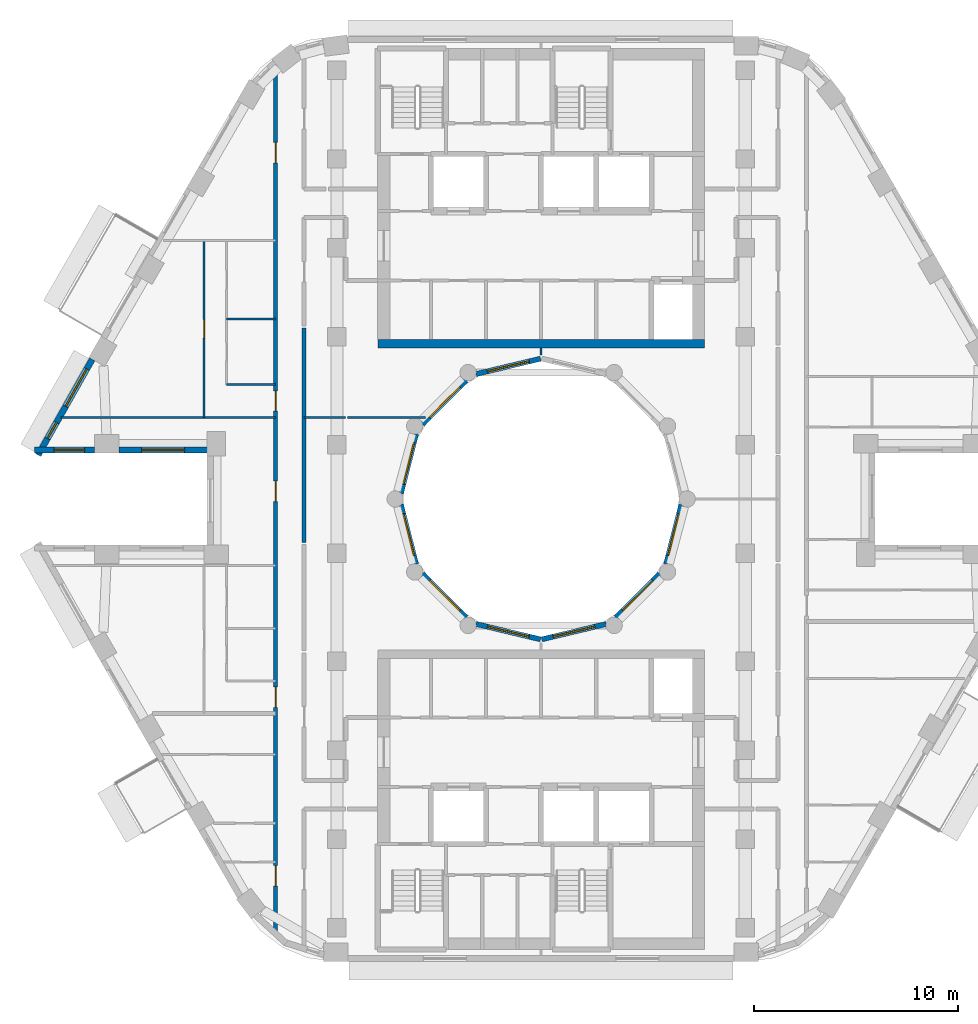
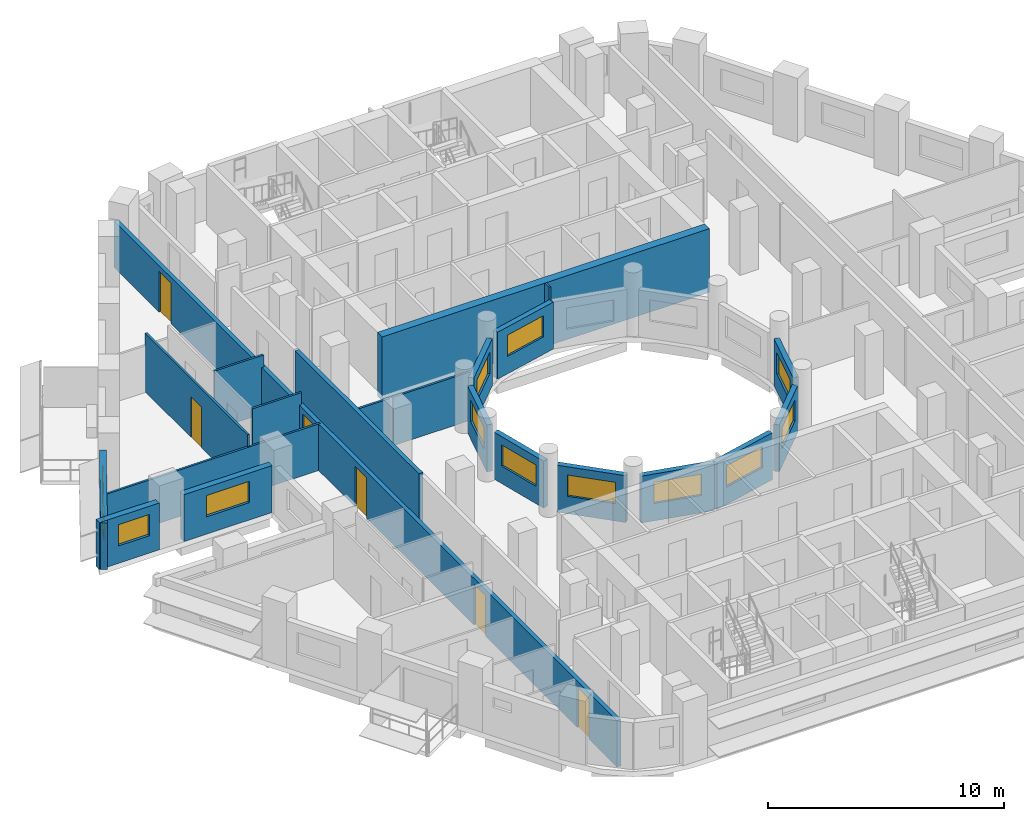
# One storey, part 5 of 17: 22 walls, 13 windows, 6 doors, 19 openings.
"""IFC4 building model written with IfcOpenShell, lengths in metres."""

from ifc_helpers import new_model, si_unit, direction, frame, frame_2d, origin, place, context, subcontext, project, spatial, rectangle, extrude, material, layer, layer_set, type_object, element, fill, save


model = new_model("IFC4")

# Units and contexts
model_context = context("Model", 3, precision=1e-05, world=origin(), true_north=direction((0.0, 1.0)))
body_context = subcontext(model_context, "Body", "Model", "MODEL_VIEW")
ifc_project = project(units=[si_unit("LENGTHUNIT", "METRE"), si_unit("AREAUNIT", "SQUARE_METRE"), si_unit("VOLUMEUNIT", "CUBIC_METRE"), si_unit("PLANEANGLEUNIT", "RADIAN"), si_unit("MASSUNIT", "GRAM", prefix="KILO")], contexts=[model_context])

# Site, building, storey
site_placement = place(None, origin())
site = spatial("IfcSite", under=ifc_project, at=site_placement, CompositionType="ELEMENT")
building_placement = place(site_placement, origin())
building = spatial("IfcBuilding", under=site, at=building_placement, Name="Nakaniwa Court", CompositionType="ELEMENT")
storey_placement = place(building_placement, frame((0.0, 0.0, 203.10009765625)))
storey = spatial("IfcBuildingStorey", under=building, at=storey_placement, Name="L53", CompositionType="ELEMENT", Elevation=203.10009765625)

# Wall
ifc_material_1 = material(Name="Acoustic double stud partition")
ifc_layer_1 = layer(ifc_material_1, 0.199951171875)
ifc_layer_set_1 = layer_set([ifc_layer_1], Name="Acoustic double stud partition")
wall_type_1 = type_object("IfcWallType", Name="Acoustic double stud partition 200", PredefinedType="PARTITIONING", material=ifc_layer_set_1)
wall_1_placement = place(storey_placement, frame((68.39990234375, 77.877197265625, 0.0), z_axis=(0.0, 0.0, 1.0), x_axis=(0.0, 1.0, 0.0)))
element("IfcWall", 1, at=wall_1_placement, inside=storey, type_object=wall_type_1, Name="Partition PW-104", PredefinedType="PARTITIONING", context=body_context, shape_type="SweptSolid", body=[
    extrude(rectangle(XDim=10.485595703125, YDim=0.199951171875, at=frame_2d((5.24267578125, 0.0))), origin(), (0.0, 0.0, 1.0), 3.02490234375),
])

# Wall, openings, doors
wall_2_placement = place(storey_placement, frame((67.0, 58.67431640625, 0.0), z_axis=(0.0, 0.0, 1.0), x_axis=(0.0, 1.0, 0.0)))
wall_2 = element("IfcWall", 2, at=wall_2_placement, inside=storey, type_object=wall_type_1, Name="Partition PW-107", PredefinedType="PARTITIONING", context=body_context, shape_type="SweptSolid", body=[
    extrude(rectangle(XDim=42.591796875, YDim=0.199951171875, at=frame_2d((21.2958984375, 0.0))), origin(), (0.0, 0.0, 1.0), 2.40478515625),
])
opening_1_placement = place(wall_2_placement, frame((2.3759765625, 0.0, 0.0)))
opening_1 = element("IfcOpeningElement", 3, at=opening_1_placement, cuts=wall_2, Name="Opening D-01-03", PredefinedType="OPENING", context=body_context, shape_type="SweptSolid", body=[
    extrude(rectangle(XDim=1.0, YDim=2.10009765625, at=frame_2d((0.5, 1.050048828125))), frame((0.0, 0.10986328125, 0.0), z_axis=(0.0, -1.0, 0.0), x_axis=(1.0, 0.0, 0.0)), (0.0, 0.0, 1.0), 0.219970703125),
])
opening_2_placement = place(wall_2_placement, frame((11.1259765625, 0.0, 0.0)))
opening_2 = element("IfcOpeningElement", 4, at=opening_2_placement, cuts=wall_2, Name="Opening D-01-04", PredefinedType="OPENING", context=body_context, shape_type="SweptSolid", body=[
    extrude(rectangle(XDim=1.0, YDim=2.10009765625, at=frame_2d((0.5, 1.050048828125))), frame((0.0, 0.10986328125, 0.0), z_axis=(0.0, -1.0, 0.0), x_axis=(1.0, 0.0, 0.0)), (0.0, 0.0, 1.0), 0.219970703125),
])
opening_3_placement = place(wall_2_placement, frame((25.6259765625, 0.0, 0.0)))
opening_3 = element("IfcOpeningElement", 5, at=opening_3_placement, cuts=wall_2, Name="Opening D-01-05", PredefinedType="OPENING", context=body_context, shape_type="SweptSolid", body=[
    extrude(rectangle(XDim=1.0, YDim=2.10009765625, at=frame_2d((0.5, 1.050048828125))), frame((0.0, 0.10986328125, 0.0), z_axis=(0.0, -1.0, 0.0), x_axis=(1.0, 0.0, 0.0)), (0.0, 0.0, 1.0), 0.219970703125),
])
opening_4_placement = place(wall_2_placement, frame((21.199951171875, 0.0, 0.0)))
opening_4 = element("IfcOpeningElement", 6, at=opening_4_placement, cuts=wall_2, Name="Opening D-02-10", PredefinedType="OPENING", context=body_context, shape_type="SweptSolid", body=[
    extrude(rectangle(XDim=1.0, YDim=2.10009765625, at=frame_2d((0.5, 1.050048828125))), frame((0.0, 0.10986328125, 0.0), z_axis=(0.0, -1.0, 0.0), x_axis=(1.0, 0.0, 0.0)), (0.0, 0.0, 1.0), 0.219970703125),
])
opening_5_placement = place(wall_2_placement, frame((37.7880859375, 0.0, 0.0)))
opening_5 = element("IfcOpeningElement", 7, at=opening_5_placement, cuts=wall_2, Name="Opening D-02-11", PredefinedType="OPENING", context=body_context, shape_type="SweptSolid", body=[
    extrude(rectangle(XDim=1.0, YDim=2.10009765625, at=frame_2d((0.5, 1.050048828125))), frame((0.0, 0.10986328125, 0.0), z_axis=(0.0, -1.0, 0.0), x_axis=(1.0, 0.0, 0.0)), (0.0, 0.0, 1.0), 0.219970703125),
])
ifc_material_2 = material(Name="Solid core timber door set, black veneer", Category="wood")
door_type_1 = type_object("IfcDoorType", Name="Flat entrance door 1000", OperationType="NOTDEFINED", PredefinedType="DOOR", material=ifc_material_2)
door_1_placement = place(opening_1_placement, origin())
door_1 = element("IfcDoor", 8, at=door_1_placement, inside=storey, type_object=door_type_1, Name="Door D-01-03 L53-042", OperationType="SINGLE_SWING_LEFT", OverallHeight=2.10009765625, OverallWidth=1.0, PredefinedType="DOOR", context=body_context, shape_type="SweptSolid", body=[
    extrude(rectangle(XDim=1.0, YDim=2.10009765625, at=frame_2d((0.5, 1.050048828125))), frame((0.0, 0.02490234375, 0.0), z_axis=(0.0, -1.0, 0.0), x_axis=(1.0, 0.0, 0.0)), (0.0, 0.0, 1.0), 0.050048828125),
])
fill(opening_1, door_1)
door_2_placement = place(opening_2_placement, origin())
door_2 = element("IfcDoor", 9, at=door_2_placement, inside=storey, type_object=door_type_1, Name="Door D-01-04 L53-046", OperationType="SINGLE_SWING_LEFT", OverallHeight=2.10009765625, OverallWidth=1.0, PredefinedType="DOOR", context=body_context, shape_type="SweptSolid", body=[
    extrude(rectangle(XDim=1.0, YDim=2.10009765625, at=frame_2d((0.5, 1.050048828125))), frame((0.0, 0.02490234375, 0.0), z_axis=(0.0, -1.0, 0.0), x_axis=(1.0, 0.0, 0.0)), (0.0, 0.0, 1.0), 0.050048828125),
])
fill(opening_2, door_2)
door_3_placement = place(opening_3_placement, origin())
door_3 = element("IfcDoor", 10, at=door_3_placement, inside=storey, type_object=door_type_1, Name="Door D-01-05 L53-052", OperationType="SINGLE_SWING_LEFT", OverallHeight=2.10009765625, OverallWidth=1.0, PredefinedType="DOOR", context=body_context, shape_type="SweptSolid", body=[
    extrude(rectangle(XDim=1.0, YDim=2.10009765625, at=frame_2d((0.5, 1.050048828125))), frame((0.0, 0.02490234375, 0.0), z_axis=(0.0, -1.0, 0.0), x_axis=(1.0, 0.0, 0.0)), (0.0, 0.0, 1.0), 0.050048828125),
])
fill(opening_3, door_3)
door_type_2 = type_object("IfcDoorType", Name="Internal door 1000", OperationType="NOTDEFINED", PredefinedType="DOOR", material=ifc_material_2)
door_4_placement = place(opening_4_placement, origin())
door_4 = element("IfcDoor", 11, at=door_4_placement, inside=storey, type_object=door_type_2, Name="Door D-02-10 L53-059", OperationType="SINGLE_SWING_RIGHT", OverallHeight=2.10009765625, OverallWidth=1.0, PredefinedType="DOOR", context=body_context, shape_type="SweptSolid", body=[
    extrude(rectangle(XDim=1.0, YDim=2.10009765625, at=frame_2d((0.5, 1.050048828125))), frame((0.0, 0.02490234375, 0.0), z_axis=(0.0, -1.0, 0.0), x_axis=(1.0, 0.0, 0.0)), (0.0, 0.0, 1.0), 0.050048828125),
])
fill(opening_4, door_4)
door_5_placement = place(opening_5_placement, origin())
door_5 = element("IfcDoor", 12, at=door_5_placement, inside=storey, type_object=door_type_2, Name="Door D-02-11 L53-060", OperationType="SINGLE_SWING_LEFT", OverallHeight=2.10009765625, OverallWidth=1.0, PredefinedType="DOOR", context=body_context, shape_type="SweptSolid", body=[
    extrude(rectangle(XDim=1.0, YDim=2.10009765625, at=frame_2d((0.5, 1.050048828125))), frame((0.0, 0.02490234375, 0.0), z_axis=(0.0, -1.0, 0.0), x_axis=(1.0, 0.0, 0.0)), (0.0, 0.0, 1.0), 0.050048828125),
])
fill(opening_5, door_5)

# Wall, openings, windows
ifc_material_3 = material(Name="Charcoal ceramic cladding")
ifc_layer_2 = layer(ifc_material_3, 0.02, Name="Ceramic cladding")
ifc_material_4 = material(Name="Ventilated air cavity")
ifc_layer_3 = layer(ifc_material_4, 0.04, ventilated=True, Name="Ventilated cavity")
ifc_material_5 = material(Name="Mineral wool insulation")
ifc_layer_4 = layer(ifc_material_5, 0.1, Name="Insulation")
ifc_material_6 = material(Name="Cement bonded sheathing board")
ifc_layer_5 = layer(ifc_material_6, 0.012, Name="Sheathing")
ifc_material_7 = material(Name="Cold-formed galvanised stud frame with mineral wool infill")
ifc_layer_6 = layer(ifc_material_7, 0.1, Name="Stud frame")
ifc_material_8 = material(Name="Fire-rated gypsum plasterboard lining")
ifc_layer_7 = layer(ifc_material_8, 0.028, Name="Lining")
ifc_layer_set_2 = layer_set([ifc_layer_2, ifc_layer_3, ifc_layer_4, ifc_layer_5, ifc_layer_6, ifc_layer_7], Name="Charcoal ceramic faced external wall system")
wall_type_2 = type_object("IfcWallType", Name="Black ceramic faced external wall 300", PredefinedType="SOLIDWALL", material=ifc_layer_set_2)
wall_3_placement = place(storey_placement, frame((58.023193359375, 86.843017578125, 0.0), z_axis=(0.0, 0.0, 1.0), x_axis=(-0.492033360928, -0.870576344575, 0.0)))
wall_3 = element("IfcWall", 13, at=wall_3_placement, inside=storey, type_object=wall_type_2, Name="L53 external wall 14", PredefinedType="SOLIDWALL", context=body_context, shape_type="SweptSolid", body=[
    extrude(rectangle(XDim=5.38671875, YDim=0.300048828125, at=frame_2d((2.693359375, 0.0))), origin(), (0.0, 0.0, 1.0), 2.4248046875),
])
opening_6_placement = place(wall_3_placement, frame((0.547607421875, 0.0, 0.89990234375)))
opening_6 = element("IfcOpeningElement", 14, at=opening_6_placement, cuts=wall_3, Name="Opening W7.15", PredefinedType="OPENING", context=body_context, shape_type="SweptSolid", body=[
    extrude(rectangle(XDim=2.10009765625, YDim=1.10009765625, at=frame_2d((1.050048828125, 0.550048828125))), frame((0.0, 0.159912109375, 0.0), z_axis=(0.0, -1.0, 0.0), x_axis=(1.0, 0.0, 0.0)), (0.0, 0.0, 1.0), 0.320068359375),
])
opening_7_placement = place(wall_3_placement, frame((3.552490234375, 0.0, 0.89990234375)))
opening_7 = element("IfcOpeningElement", 15, at=opening_7_placement, cuts=wall_3, Name="Opening W9.16", PredefinedType="OPENING", context=body_context, shape_type="SweptSolid", body=[
    extrude(rectangle(XDim=0.89990234375, YDim=1.10009765625, at=frame_2d((0.449951171875, 0.550048828125))), frame((0.0, 0.159912109375, 0.0), z_axis=(0.0, -1.0, 0.0), x_axis=(1.0, 0.0, 0.0)), (0.0, 0.0, 1.0), 0.320068359375),
])
ifc_material_9 = material(Name="Black anodised aluminium frame with dark low-E laminated double glazing", Category="aluminium")
window_type_1 = type_object("IfcWindowType", Name="Dark glass window 2100x1100 sill 900", PartitioningType="SINGLE_PANEL", PredefinedType="WINDOW", material=ifc_material_9)
window_1_placement = place(opening_6_placement, origin())
window_1 = element("IfcWindow", 16, at=window_1_placement, inside=storey, type_object=window_type_1, Name="L53 living window 14-0", OverallHeight=1.10009765625, OverallWidth=2.10009765625, PartitioningType="SINGLE_PANEL", PredefinedType="WINDOW", context=body_context, shape_type="SweptSolid", body=[
    extrude(rectangle(XDim=2.10009765625, YDim=1.10009765625, at=frame_2d((1.050048828125, 0.550048828125))), frame((0.0, 0.030029296875, 0.0), z_axis=(0.0, -1.0, 0.0), x_axis=(1.0, 0.0, 0.0)), (0.0, 0.0, 1.0), 0.06005859375),
])
fill(opening_6, window_1)
window_type_2 = type_object("IfcWindowType", Name="Dark glass window 900x1100 sill 900", PartitioningType="SINGLE_PANEL", PredefinedType="WINDOW", material=ifc_material_9)
window_2_placement = place(opening_7_placement, origin())
window_2 = element("IfcWindow", 17, at=window_2_placement, inside=storey, type_object=window_type_2, Name="L53 habitable room window 14-1", OverallHeight=1.10009765625, OverallWidth=0.89990234375, PartitioningType="SINGLE_PANEL", PredefinedType="WINDOW", context=body_context, shape_type="SweptSolid", body=[
    extrude(rectangle(XDim=0.89990234375, YDim=1.10009765625, at=frame_2d((0.449951171875, 0.550048828125))), frame((0.0, 0.030029296875, 0.0), z_axis=(0.0, -1.0, 0.0), x_axis=(1.0, 0.0, 0.0)), (0.0, 0.0, 1.0), 0.06005859375),
])
fill(opening_7, window_2)

# Wall, opening, window
wall_4_placement = place(storey_placement, frame((55.2021484375, 82.39990234375, 0.0), z_axis=(0.0, 0.0, 1.0), x_axis=(1.0, 0.0, 0.0)))
wall_4 = element("IfcWall", 18, at=wall_4_placement, inside=storey, type_object=wall_type_2, Name="L53 external wall 15", PredefinedType="SOLIDWALL", context=body_context, shape_type="SweptSolid", body=[
    extrude(rectangle(XDim=2.937744140625, YDim=0.300048828125, at=frame_2d((1.46875, 0.0))), origin(), (0.0, 0.0, 1.0), 2.4248046875),
])
opening_8_placement = place(wall_4_placement, frame((0.944091796875, 0.0, 0.89990234375)))
opening_8 = element("IfcOpeningElement", 19, at=opening_8_placement, cuts=wall_4, Name="Opening W5.17", PredefinedType="OPENING", context=body_context, shape_type="SweptSolid", body=[
    extrude(rectangle(XDim=1.5, YDim=1.10009765625, at=frame_2d((0.75, 0.550048828125))), frame((0.0, 0.159912109375, 0.0), z_axis=(0.0, -1.0, 0.0), x_axis=(1.0, 0.0, 0.0)), (0.0, 0.0, 1.0), 0.320068359375),
])
window_type_3 = type_object("IfcWindowType", Name="Dark glass window 1500x1100 sill 900", PartitioningType="SINGLE_PANEL", PredefinedType="WINDOW", material=ifc_material_9)
window_3_placement = place(opening_8_placement, origin())
window_3 = element("IfcWindow", 20, at=window_3_placement, inside=storey, type_object=window_type_3, Name="L53 habitable room window 15-0", OverallHeight=1.10009765625, OverallWidth=1.5, PartitioningType="SINGLE_PANEL", PredefinedType="WINDOW", context=body_context, shape_type="SweptSolid", body=[
    extrude(rectangle(XDim=1.5, YDim=1.10009765625, at=frame_2d((0.75, 0.550048828125))), frame((0.0, 0.030029296875, 0.0), z_axis=(0.0, -1.0, 0.0), x_axis=(1.0, 0.0, 0.0)), (0.0, 0.0, 1.0), 0.06005859375),
])
fill(opening_8, window_3)

wall_5_placement = place(storey_placement, frame((59.33203125, 82.39990234375, 0.0), z_axis=(0.0, 0.0, 1.0), x_axis=(1.0, 0.0, 0.0)))
wall_5 = element("IfcWall", 21, at=wall_5_placement, inside=storey, type_object=wall_type_2, Name="L53 external wall 16", PredefinedType="SOLIDWALL", context=body_context, shape_type="SweptSolid", body=[
    extrude(rectangle(XDim=4.322509765625, YDim=0.300048828125, at=frame_2d((2.1611328125, 0.0))), origin(), (0.0, 0.0, 1.0), 2.4248046875),
])
opening_9_placement = place(wall_5_placement, frame((1.111083984375, 0.0, 0.89990234375)))
opening_9 = element("IfcOpeningElement", 22, at=opening_9_placement, cuts=wall_5, Name="Opening W7.18", PredefinedType="OPENING", context=body_context, shape_type="SweptSolid", body=[
    extrude(rectangle(XDim=2.10009765625, YDim=1.10009765625, at=frame_2d((1.050048828125, 0.550048828125))), frame((0.0, 0.159912109375, 0.0), z_axis=(0.0, -1.0, 0.0), x_axis=(1.0, 0.0, 0.0)), (0.0, 0.0, 1.0), 0.320068359375),
])
window_4_placement = place(opening_9_placement, origin())
window_4 = element("IfcWindow", 23, at=window_4_placement, inside=storey, type_object=window_type_1, Name="L53 habitable room window 16-0", OverallHeight=1.10009765625, OverallWidth=2.10009765625, PartitioningType="SINGLE_PANEL", PredefinedType="WINDOW", context=body_context, shape_type="SweptSolid", body=[
    extrude(rectangle(XDim=2.10009765625, YDim=1.10009765625, at=frame_2d((1.050048828125, 0.550048828125))), frame((0.0, 0.030029296875, 0.0), z_axis=(0.0, -1.0, 0.0), x_axis=(1.0, 0.0, 0.0)), (0.0, 0.0, 1.0), 0.06005859375),
])
fill(opening_9, window_4)

ifc_layer_8 = layer(ifc_material_3, 0.02, Name="Ceramic cladding")
ifc_layer_9 = layer(ifc_material_4, 0.04, ventilated=True, Name="Ventilated cavity")
ifc_layer_10 = layer(ifc_material_5, 0.075, Name="Insulation")
ifc_layer_11 = layer(ifc_material_6, 0.012, Name="Sheathing")
ifc_layer_12 = layer(ifc_material_7, 0.075, Name="Stud frame")
ifc_layer_13 = layer(ifc_material_8, 0.028, Name="Lining")
ifc_layer_set_3 = layer_set([ifc_layer_8, ifc_layer_9, ifc_layer_10, ifc_layer_11, ifc_layer_12, ifc_layer_13], Name="Charcoal ceramic faced external wall system")
wall_type_3 = type_object("IfcWallType", Name="Charcoal ceramic faced well wall 250", PredefinedType="SOLIDWALL", material=ifc_layer_set_3)
wall_6_placement = place(storey_placement, frame((86.8603515625, 79.72998046875, 0.0), z_axis=(0.0, 0.0, 1.0), x_axis=(-0.247055971283, -0.969001211069, 0.0)))
wall_6 = element("IfcWall", 24, at=wall_6_placement, inside=storey, type_object=wall_type_3, Name="L53 external wall 36", PredefinedType="SOLIDWALL", context=body_context, shape_type="SweptSolid", body=[
    extrude(rectangle(XDim=3.010009765625, YDim=0.25, at=frame_2d((1.5048828125, 0.0))), origin(), (0.0, 0.0, 1.0), 2.4248046875),
])
opening_10_placement = place(wall_6_placement, frame((0.46875, 0.0, 0.89990234375)))
opening_10 = element("IfcOpeningElement", 25, at=opening_10_placement, cuts=wall_6, Name="Opening W7.36", PredefinedType="OPENING", context=body_context, shape_type="SweptSolid", body=[
    extrude(rectangle(XDim=2.10009765625, YDim=1.10009765625, at=frame_2d((1.050048828125, 0.550048828125))), frame((0.0, 0.135009765625, 0.0), z_axis=(0.0, -1.0, 0.0), x_axis=(1.0, 0.0, 0.0)), (0.0, 0.0, 1.0), 0.27001953125),
])
window_5_placement = place(opening_10_placement, origin())
window_5 = element("IfcWindow", 26, at=window_5_placement, inside=storey, type_object=window_type_1, Name="L53 habitable room window 36-0", OverallHeight=1.10009765625, OverallWidth=2.10009765625, PartitioningType="SINGLE_PANEL", PredefinedType="WINDOW", context=body_context, shape_type="SweptSolid", body=[
    extrude(rectangle(XDim=2.10009765625, YDim=1.10009765625, at=frame_2d((1.050048828125, 0.550048828125))), frame((0.0, 0.030029296875, 0.0), z_axis=(0.0, -1.0, 0.0), x_axis=(1.0, 0.0, 0.0)), (0.0, 0.0, 1.0), 0.06005859375),
])
fill(opening_10, window_5)

wall_7_placement = place(storey_placement, frame((85.8056640625, 76.339111328125, 0.0), z_axis=(0.0, 0.0, 1.0), x_axis=(-0.707106781187, -0.707106781187, 0.0)))
wall_7 = element("IfcWall", 27, at=wall_7_placement, inside=storey, type_object=wall_type_3, Name="L53 external wall 37", PredefinedType="SOLIDWALL", context=body_context, shape_type="SweptSolid", body=[
    extrude(rectangle(XDim=3.033203125, YDim=0.25, at=frame_2d((1.5166015625, 0.0))), origin(), (0.0, 0.0, 1.0), 2.4248046875),
])
opening_11_placement = place(wall_7_placement, frame((0.466552734375, 0.0, 0.89990234375)))
opening_11 = element("IfcOpeningElement", 28, at=opening_11_placement, cuts=wall_7, Name="Opening W7.37", PredefinedType="OPENING", context=body_context, shape_type="SweptSolid", body=[
    extrude(rectangle(XDim=2.10009765625, YDim=1.10009765625, at=frame_2d((1.050048828125, 0.550048828125))), frame((0.0, 0.135009765625, 0.0), z_axis=(0.0, -1.0, 0.0), x_axis=(1.0, 0.0, 0.0)), (0.0, 0.0, 1.0), 0.27001953125),
])
window_6_placement = place(opening_11_placement, origin())
window_6 = element("IfcWindow", 29, at=window_6_placement, inside=storey, type_object=window_type_1, Name="L53 habitable room window 37-0", OverallHeight=1.10009765625, OverallWidth=2.10009765625, PartitioningType="SINGLE_PANEL", PredefinedType="WINDOW", context=body_context, shape_type="SweptSolid", body=[
    extrude(rectangle(XDim=2.10009765625, YDim=1.10009765625, at=frame_2d((1.050048828125, 0.550048828125))), frame((0.0, 0.030029296875, 0.0), z_axis=(0.0, -1.0, 0.0), x_axis=(1.0, 0.0, 0.0)), (0.0, 0.0, 1.0), 0.06005859375),
])
fill(opening_11, window_6)

wall_8_placement = place(storey_placement, frame((83.186279296875, 73.880615234375, 0.0), z_axis=(0.0, 0.0, 1.0), x_axis=(-0.972773113459, -0.231759508395, 0.0)))
wall_8 = element("IfcWall", 30, at=wall_8_placement, inside=storey, type_object=wall_type_3, Name="L53 external wall 38", PredefinedType="SOLIDWALL", context=body_context, shape_type="SweptSolid", body=[
    extrude(rectangle(XDim=3.24560546875, YDim=0.25, at=frame_2d((1.622802734375, 0.0))), origin(), (0.0, 0.0, 1.0), 2.4248046875),
])
opening_12_placement = place(wall_8_placement, frame((0.57275390625, 0.0, 0.89990234375)))
opening_12 = element("IfcOpeningElement", 31, at=opening_12_placement, cuts=wall_8, Name="Opening W7.38", PredefinedType="OPENING", context=body_context, shape_type="SweptSolid", body=[
    extrude(rectangle(XDim=2.10009765625, YDim=1.10009765625, at=frame_2d((1.050048828125, 0.550048828125))), frame((0.0, 0.135009765625, 0.0), z_axis=(0.0, -1.0, 0.0), x_axis=(1.0, 0.0, 0.0)), (0.0, 0.0, 1.0), 0.27001953125),
])
window_7_placement = place(opening_12_placement, origin())
window_7 = element("IfcWindow", 32, at=window_7_placement, inside=storey, type_object=window_type_1, Name="L53 habitable room window 38-0", OverallHeight=1.10009765625, OverallWidth=2.10009765625, PartitioningType="SINGLE_PANEL", PredefinedType="WINDOW", context=body_context, shape_type="SweptSolid", body=[
    extrude(rectangle(XDim=2.10009765625, YDim=1.10009765625, at=frame_2d((1.050048828125, 0.550048828125))), frame((0.0, 0.030029296875, 0.0), z_axis=(0.0, -1.0, 0.0), x_axis=(1.0, 0.0, 0.0)), (0.0, 0.0, 1.0), 0.06005859375),
])
fill(opening_12, window_7)

wall_9_placement = place(storey_placement, frame((79.970947265625, 73.12841796875, 0.0), z_axis=(0.0, 0.0, 1.0), x_axis=(-0.972773113459, 0.231759508395, 0.0)))
wall_9 = element("IfcWall", 33, at=wall_9_placement, inside=storey, type_object=wall_type_3, Name="L53 external wall 39", PredefinedType="SOLIDWALL", context=body_context, shape_type="SweptSolid", body=[
    extrude(rectangle(XDim=3.24560546875, YDim=0.25, at=frame_2d((1.622802734375, 0.0))), origin(), (0.0, 0.0, 1.0), 2.4248046875),
])
opening_13_placement = place(wall_9_placement, frame((0.57275390625, 0.0, 0.89990234375)))
opening_13 = element("IfcOpeningElement", 34, at=opening_13_placement, cuts=wall_9, Name="Opening W7.39", PredefinedType="OPENING", context=body_context, shape_type="SweptSolid", body=[
    extrude(rectangle(XDim=2.10009765625, YDim=1.10009765625, at=frame_2d((1.050048828125, 0.550048828125))), frame((0.0, 0.135009765625, 0.0), z_axis=(0.0, -1.0, 0.0), x_axis=(1.0, 0.0, 0.0)), (0.0, 0.0, 1.0), 0.27001953125),
])
window_8_placement = place(opening_13_placement, origin())
window_8 = element("IfcWindow", 35, at=window_8_placement, inside=storey, type_object=window_type_1, Name="L53 habitable room window 39-0", OverallHeight=1.10009765625, OverallWidth=2.10009765625, PartitioningType="SINGLE_PANEL", PredefinedType="WINDOW", context=body_context, shape_type="SweptSolid", body=[
    extrude(rectangle(XDim=2.10009765625, YDim=1.10009765625, at=frame_2d((1.050048828125, 0.550048828125))), frame((0.0, 0.030029296875, 0.0), z_axis=(0.0, -1.0, 0.0), x_axis=(1.0, 0.0, 0.0)), (0.0, 0.0, 1.0), 0.06005859375),
])
fill(opening_13, window_8)

wall_10_placement = place(storey_placement, frame((76.339111328125, 74.1943359375, 0.0), z_axis=(0.0, 0.0, 1.0), x_axis=(-0.707106781187, 0.707106781187, 0.0)))
wall_10 = element("IfcWall", 36, at=wall_10_placement, inside=storey, type_object=wall_type_3, Name="L53 external wall 40", PredefinedType="SOLIDWALL", context=body_context, shape_type="SweptSolid", body=[
    extrude(rectangle(XDim=3.033203125, YDim=0.25, at=frame_2d((1.5166015625, 0.0))), origin(), (0.0, 0.0, 1.0), 2.4248046875),
])
opening_14_placement = place(wall_10_placement, frame((0.466552734375, 0.0, 0.89990234375)))
opening_14 = element("IfcOpeningElement", 37, at=opening_14_placement, cuts=wall_10, Name="Opening W7.40", PredefinedType="OPENING", context=body_context, shape_type="SweptSolid", body=[
    extrude(rectangle(XDim=2.10009765625, YDim=1.10009765625, at=frame_2d((1.050048828125, 0.550048828125))), frame((0.0, 0.135009765625, 0.0), z_axis=(0.0, -1.0, 0.0), x_axis=(1.0, 0.0, 0.0)), (0.0, 0.0, 1.0), 0.27001953125),
])
window_9_placement = place(opening_14_placement, origin())
window_9 = element("IfcWindow", 38, at=window_9_placement, inside=storey, type_object=window_type_1, Name="L53 habitable room window 40-0", OverallHeight=1.10009765625, OverallWidth=2.10009765625, PartitioningType="SINGLE_PANEL", PredefinedType="WINDOW", context=body_context, shape_type="SweptSolid", body=[
    extrude(rectangle(XDim=2.10009765625, YDim=1.10009765625, at=frame_2d((1.050048828125, 0.550048828125))), frame((0.0, 0.030029296875, 0.0), z_axis=(0.0, -1.0, 0.0), x_axis=(1.0, 0.0, 0.0)), (0.0, 0.0, 1.0), 0.06005859375),
])
fill(opening_14, window_9)

wall_11_placement = place(storey_placement, frame((73.88330078125, 76.813232421875, 0.0), z_axis=(0.0, 0.0, 1.0), x_axis=(-0.247055971283, 0.969001211069, 0.0)))
wall_11 = element("IfcWall", 39, at=wall_11_placement, inside=storey, type_object=wall_type_3, Name="L53 external wall 41", PredefinedType="SOLIDWALL", context=body_context, shape_type="SweptSolid", body=[
    extrude(rectangle(XDim=3.010009765625, YDim=0.25, at=frame_2d((1.5048828125, 0.0))), origin(), (0.0, 0.0, 1.0), 2.4248046875),
])
opening_15_placement = place(wall_11_placement, frame((0.441162109375, 0.0, 0.89990234375)))
opening_15 = element("IfcOpeningElement", 40, at=opening_15_placement, cuts=wall_11, Name="Opening W7.41", PredefinedType="OPENING", context=body_context, shape_type="SweptSolid", body=[
    extrude(rectangle(XDim=2.10009765625, YDim=1.10009765625, at=frame_2d((1.050048828125, 0.550048828125))), frame((0.0, 0.135009765625, 0.0), z_axis=(0.0, -1.0, 0.0), x_axis=(1.0, 0.0, 0.0)), (0.0, 0.0, 1.0), 0.27001953125),
])
window_10_placement = place(opening_15_placement, origin())
window_10 = element("IfcWindow", 41, at=window_10_placement, inside=storey, type_object=window_type_1, Name="L53 habitable room window 41-0", OverallHeight=1.10009765625, OverallWidth=2.10009765625, PartitioningType="SINGLE_PANEL", PredefinedType="WINDOW", context=body_context, shape_type="SweptSolid", body=[
    extrude(rectangle(XDim=2.10009765625, YDim=1.10009765625, at=frame_2d((1.050048828125, 0.550048828125))), frame((0.0, 0.030029296875, 0.0), z_axis=(0.0, -1.0, 0.0), x_axis=(1.0, 0.0, 0.0)), (0.0, 0.0, 1.0), 0.06005859375),
])
fill(opening_15, window_10)

wall_12_placement = place(storey_placement, frame((73.1396484375, 80.27001953125, 0.0), z_axis=(0.0, 0.0, 1.0), x_axis=(0.247055971283, 0.969001211069, 0.0)))
wall_12 = element("IfcWall", 42, at=wall_12_placement, inside=storey, type_object=wall_type_3, Name="L53 external wall 42", PredefinedType="SOLIDWALL", context=body_context, shape_type="SweptSolid", body=[
    extrude(rectangle(XDim=3.010009765625, YDim=0.25, at=frame_2d((1.5048828125, 0.0))), origin(), (0.0, 0.0, 1.0), 2.4248046875),
])
opening_16_placement = place(wall_12_placement, frame((0.46875, 0.0, 0.89990234375)))
opening_16 = element("IfcOpeningElement", 43, at=opening_16_placement, cuts=wall_12, Name="Opening W7.42", PredefinedType="OPENING", context=body_context, shape_type="SweptSolid", body=[
    extrude(rectangle(XDim=2.10009765625, YDim=1.10009765625, at=frame_2d((1.050048828125, 0.550048828125))), frame((0.0, 0.135009765625, 0.0), z_axis=(0.0, -1.0, 0.0), x_axis=(1.0, 0.0, 0.0)), (0.0, 0.0, 1.0), 0.27001953125),
])
window_11_placement = place(opening_16_placement, origin())
window_11 = element("IfcWindow", 44, at=window_11_placement, inside=storey, type_object=window_type_1, Name="L53 habitable room window 42-0", OverallHeight=1.10009765625, OverallWidth=2.10009765625, PartitioningType="SINGLE_PANEL", PredefinedType="WINDOW", context=body_context, shape_type="SweptSolid", body=[
    extrude(rectangle(XDim=2.10009765625, YDim=1.10009765625, at=frame_2d((1.050048828125, 0.550048828125))), frame((0.0, 0.030029296875, 0.0), z_axis=(0.0, -1.0, 0.0), x_axis=(1.0, 0.0, 0.0)), (0.0, 0.0, 1.0), 0.06005859375),
])
fill(opening_16, window_11)

wall_13_placement = place(storey_placement, frame((74.1943359375, 83.660888671875, 0.0), z_axis=(0.0, 0.0, 1.0), x_axis=(0.707106781187, 0.707106781187, 0.0)))
wall_13 = element("IfcWall", 45, at=wall_13_placement, inside=storey, type_object=wall_type_3, Name="L53 external wall 43", PredefinedType="SOLIDWALL", context=body_context, shape_type="SweptSolid", body=[
    extrude(rectangle(XDim=3.033203125, YDim=0.25, at=frame_2d((1.5166015625, 0.0))), origin(), (0.0, 0.0, 1.0), 2.4248046875),
])
opening_17_placement = place(wall_13_placement, frame((0.480712890625, 0.0, 0.89990234375)))
opening_17 = element("IfcOpeningElement", 46, at=opening_17_placement, cuts=wall_13, Name="Opening W7.43", PredefinedType="OPENING", context=body_context, shape_type="SweptSolid", body=[
    extrude(rectangle(XDim=2.10009765625, YDim=1.10009765625, at=frame_2d((1.050048828125, 0.550048828125))), frame((0.0, 0.135009765625, 0.0), z_axis=(0.0, -1.0, 0.0), x_axis=(1.0, 0.0, 0.0)), (0.0, 0.0, 1.0), 0.27001953125),
])
window_12_placement = place(opening_17_placement, origin())
window_12 = element("IfcWindow", 47, at=window_12_placement, inside=storey, type_object=window_type_1, Name="L53 habitable room window 43-1", OverallHeight=1.10009765625, OverallWidth=2.10009765625, PartitioningType="SINGLE_PANEL", PredefinedType="WINDOW", context=body_context, shape_type="SweptSolid", body=[
    extrude(rectangle(XDim=2.10009765625, YDim=1.10009765625, at=frame_2d((1.050048828125, 0.550048828125))), frame((0.0, 0.030029296875, 0.0), z_axis=(0.0, -1.0, 0.0), x_axis=(1.0, 0.0, 0.0)), (0.0, 0.0, 1.0), 0.06005859375),
])
fill(opening_17, window_12)

wall_14_placement = place(storey_placement, frame((76.813720703125, 86.119384765625, 0.0), z_axis=(0.0, 0.0, 1.0), x_axis=(0.972773113459, 0.231759508395, 0.0)))
wall_14 = element("IfcWall", 48, at=wall_14_placement, inside=storey, type_object=wall_type_3, Name="L53 external wall 44", PredefinedType="SOLIDWALL", context=body_context, shape_type="SweptSolid", body=[
    extrude(rectangle(XDim=3.24560546875, YDim=0.25, at=frame_2d((1.622802734375, 0.0))), origin(), (0.0, 0.0, 1.0), 2.4248046875),
])
opening_18_placement = place(wall_14_placement, frame((0.57275390625, 0.0, 0.89990234375)))
opening_18 = element("IfcOpeningElement", 49, at=opening_18_placement, cuts=wall_14, Name="Opening W7.44", PredefinedType="OPENING", context=body_context, shape_type="SweptSolid", body=[
    extrude(rectangle(XDim=2.10009765625, YDim=1.10009765625, at=frame_2d((1.050048828125, 0.550048828125))), frame((0.0, 0.135009765625, 0.0), z_axis=(0.0, -1.0, 0.0), x_axis=(1.0, 0.0, 0.0)), (0.0, 0.0, 1.0), 0.27001953125),
])
window_13_placement = place(opening_18_placement, origin())
window_13 = element("IfcWindow", 50, at=window_13_placement, inside=storey, type_object=window_type_1, Name="L53 habitable room window 44-0", OverallHeight=1.10009765625, OverallWidth=2.10009765625, PartitioningType="SINGLE_PANEL", PredefinedType="WINDOW", context=body_context, shape_type="SweptSolid", body=[
    extrude(rectangle(XDim=2.10009765625, YDim=1.10009765625, at=frame_2d((1.050048828125, 0.550048828125))), frame((0.0, 0.030029296875, 0.0), z_axis=(0.0, -1.0, 0.0), x_axis=(1.0, 0.0, 0.0)), (0.0, 0.0, 1.0), 0.06005859375),
])
fill(opening_18, window_13)

# Walls
ifc_material_10 = material(Name="Concrete C80/100", Category="concrete")
ifc_layer_14 = layer(ifc_material_10, 0.39990234375)
ifc_layer_set_4 = layer_set([ifc_layer_14], Name="Concrete C80/100")
wall_type_4 = type_object("IfcWallType", Name="Concrete core well wall 400 C80", PredefinedType="SHEAR", material=ifc_layer_set_4)
wall_15_placement = place(storey_placement, frame((72.00390625, 87.60009765625, -0.275146484375), z_axis=(0.0, 0.0, 1.0), x_axis=(1.0, 0.0, 0.0)))
element("IfcWall", 51, at=wall_15_placement, inside=storey, type_object=wall_type_4, Name="Core wall SW-143", PredefinedType="SHEAR", context=body_context, shape_type="SweptSolid", body=[
    extrude(rectangle(XDim=15.9921875, YDim=0.39990234375, at=frame_2d((7.99609375, 0.0))), origin(), (0.0, 0.0, 1.0), 3.300048828125),
])
ifc_material_11 = material(Name="Single stud plasterboard partition")
ifc_layer_15 = layer(ifc_material_11, 0.10009765625)
ifc_layer_set_5 = layer_set([ifc_layer_15], Name="Single stud plasterboard partition")
wall_type_5 = type_object("IfcWallType", Name="Single stud plasterboard partition 100", PredefinedType="PARTITIONING", material=ifc_layer_set_5)
wall_16_placement = place(storey_placement, frame((80.0, 87.048095703125, 0.0), z_axis=(0.0, 0.0, 1.0), x_axis=(0.0, 1.0, 0.0)))
element("IfcWall", 52, at=wall_16_placement, inside=storey, type_object=wall_type_5, Name="Partition PW-114", PredefinedType="PARTITIONING", context=body_context, shape_type="SweptSolid", body=[
    extrude(rectangle(XDim=0.351806640625, YDim=0.10009765625, at=frame_2d((0.17578125, 0.0))), origin(), (0.0, 0.0, 1.0), 3.02490234375),
])

# Wall, opening, door
wall_17_placement = place(storey_placement, frame((63.4990234375, 84.0, 0.0), z_axis=(0.0, 0.0, 1.0), x_axis=(0.0, 1.0, 0.0)))
wall_17 = element("IfcWall", 53, at=wall_17_placement, inside=storey, type_object=wall_type_5, Name="Partition PW-136", PredefinedType="PARTITIONING", context=body_context, shape_type="SweptSolid", body=[
    extrude(rectangle(XDim=8.66259765625, YDim=0.10009765625, at=frame_2d((4.331298828125, 0.0))), origin(), (0.0, 0.0, 1.0), 3.02490234375),
])
opening_19_placement = place(wall_17_placement, frame((3.881103515625, 0.0, 0.0)))
opening_19 = element("IfcOpeningElement", 54, at=opening_19_placement, cuts=wall_17, Name="Opening D-33-11", PredefinedType="OPENING", context=body_context, shape_type="SweptSolid", body=[
    extrude(rectangle(XDim=0.89990234375, YDim=2.10009765625, at=frame_2d((0.449951171875, 1.050048828125))), frame((0.0, 0.06005859375, 0.0), z_axis=(0.0, -1.0, 0.0), x_axis=(1.0, 0.0, 0.0)), (0.0, 0.0, 1.0), 0.1201171875),
])
door_type_3 = type_object("IfcDoorType", Name="Internal door 900", OperationType="NOTDEFINED", PredefinedType="DOOR", material=ifc_material_2)
door_6_placement = place(opening_19_placement, origin())
door_6 = element("IfcDoor", 55, at=door_6_placement, inside=storey, type_object=door_type_3, Name="Door D-33-11 L53-055", OperationType="SINGLE_SWING_RIGHT", OverallHeight=2.10009765625, OverallWidth=0.89990234375, PredefinedType="DOOR", context=body_context, shape_type="SweptSolid", body=[
    extrude(rectangle(XDim=0.89990234375, YDim=2.10009765625, at=frame_2d((0.449951171875, 1.050048828125))), frame((0.0, 0.02490234375, 0.0), z_axis=(0.0, -1.0, 0.0), x_axis=(1.0, 0.0, 0.0)), (0.0, 0.0, 1.0), 0.050048828125),
])
fill(opening_19, door_6)

# Walls
wall_18_placement = place(storey_placement, frame((56.501708984375, 84.0, 0.0), z_axis=(0.0, 0.0, 1.0), x_axis=(1.0, 0.0, 0.0)))
element("IfcWall", 56, at=wall_18_placement, inside=storey, type_object=wall_type_5, Name="Partition PW-137", PredefinedType="PARTITIONING", context=body_context, shape_type="SweptSolid", body=[
    extrude(rectangle(XDim=10.497314453125, YDim=0.10009765625, at=frame_2d((5.24853515625, 0.0))), origin(), (0.0, 0.0, 1.0), 2.40478515625),
])
wall_19_placement = place(storey_placement, frame((68.40087890625, 84.0, 0.0), z_axis=(0.0, 0.0, 1.0), x_axis=(1.0, 0.0, 0.0)))
element("IfcWall", 57, at=wall_19_placement, inside=storey, type_object=wall_type_5, Name="Partition PW-138", PredefinedType="PARTITIONING", context=body_context, shape_type="SweptSolid", body=[
    extrude(rectangle(XDim=2.009033203125, YDim=0.10009765625, at=frame_2d((1.00439453125, 0.0))), origin(), (0.0, 0.0, 1.0), 2.5048828125),
])
wall_20_placement = place(storey_placement, frame((70.530029296875, 84.0, 0.0), z_axis=(0.0, 0.0, 1.0), x_axis=(1.0, 0.0, 0.0)))
element("IfcWall", 58, at=wall_20_placement, inside=storey, type_object=wall_type_5, Name="Partition PW-139", PredefinedType="PARTITIONING", context=body_context, shape_type="SweptSolid", body=[
    extrude(rectangle(XDim=3.796630859375, YDim=0.10009765625, at=frame_2d((1.8984375, 0.0))), origin(), (0.0, 0.0, 1.0), 2.5048828125),
])
for number, where, z_axis, x_axis, name in (
    (59, (64.59912109375, 88.81005859375, 0.0), (0.0, 0.0, 1.0), (1.0, 0.0, 0.0), "Partition PW-140"),
    (60, (64.59912109375, 85.60009765625, 0.0), (0.0, 0.0, 1.0), (1.0, 0.0, 0.0), "Partition PW-141"),
):
    element("IfcWall", number, at=place(storey_placement, frame(where, z_axis=z_axis, x_axis=x_axis)), inside=storey, type_object=wall_type_5, Name=name, PredefinedType="PARTITIONING", context=body_context, shape_type="SweptSolid", body=[
        extrude(rectangle(XDim=2.39990234375, YDim=0.10009765625, at=frame_2d((1.199951171875, 0.0))), origin(), (0.0, 0.0, 1.0), 3.02490234375),
    ])

save(model, "model.ifc")
